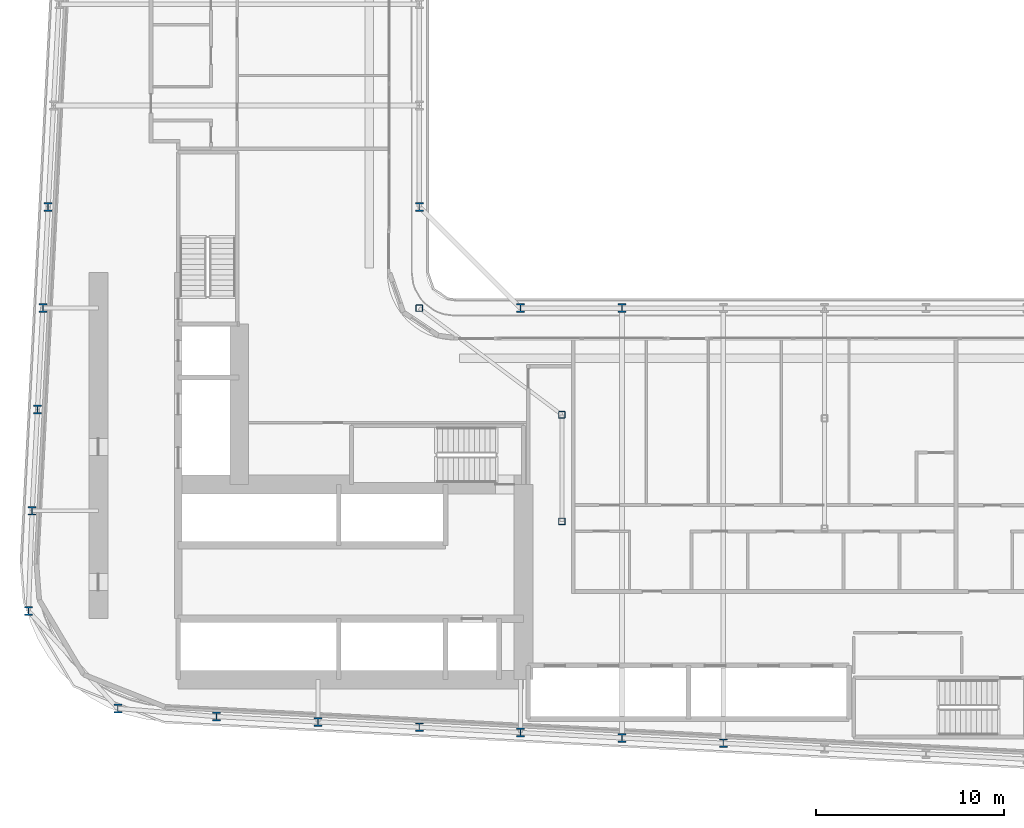
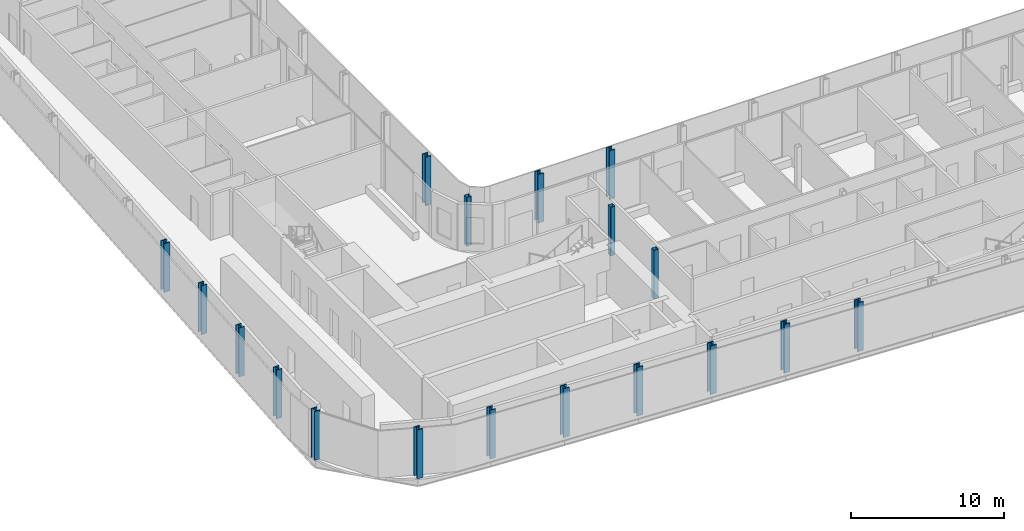
# One storey, part 1 of 27: 18 columns.
"""IFC4 building model written with IfcOpenShell, lengths in metres."""

from ifc_helpers import new_model, si_unit, direction, frame, origin, origin_2d, place, context, subcontext, project, spatial, hollow_rectangle, i_section, extrude, material, material_profile, profile_set, type_object, element, save


model = new_model("IFC4")

# Units and contexts
model_context = context("Model", 3, precision=1e-05, world=origin(), true_north=direction((0.0, 1.0)))
body_context = subcontext(model_context, "Body", "Model", "MODEL_VIEW")
ifc_project = project(units=[si_unit("LENGTHUNIT", "METRE"), si_unit("AREAUNIT", "SQUARE_METRE"), si_unit("VOLUMEUNIT", "CUBIC_METRE"), si_unit("PLANEANGLEUNIT", "RADIAN"), si_unit("MASSUNIT", "GRAM", prefix="KILO")], contexts=[model_context])

# Site, building, storey
site_placement = place(None, origin())
site = spatial("IfcSite", under=ifc_project, at=site_placement, CompositionType="ELEMENT")
building_placement = place(site_placement, origin())
building = spatial("IfcBuilding", under=site, at=building_placement, Name="Kheshtan School and Residences Tower", CompositionType="ELEMENT")
storey_placement = place(building_placement, frame((0.0, 0.0, 50.0)))
storey = spatial("IfcBuildingStorey", under=building, at=storey_placement, Name="L11", CompositionType="ELEMENT", Elevation=50.0)

# Columns
ifc_material_1 = material(Name="Steel ASTM A992 Grade 50", Category="steel")
ifc_material_profile_1 = material_profile(ifc_material_1, i_section(OverallWidth=0.424072265625, OverallDepth=0.47412109375, WebThickness=0.047607421875, FlangeThickness=0.0771484375, FilletRadius=0.01416015625, at=origin_2d()), Name="W360x634")
ifc_profile_set_1 = profile_set([ifc_material_profile_1], Name="Steel ASTM A992 Grade 50")
column_type_1 = type_object("IfcColumnType", Name="Column C1 W360x634 ASTM A992 Grade 50", PredefinedType="COLUMN", material=ifc_profile_set_1)
for number, where, z_axis, x_axis, name in (
    (1, (63.800048828125, 22.410888671875, 0.0), (0.0, 0.0, 1.0), (1.0, 0.0, 0.0), "Column C016"),
    (2, (58.39990234375, 22.695068359375, 0.0), (0.0, 0.0, 1.0), (1.0, 0.0, 0.0), "Column C018"),
    (3, (53.0, 22.97998046875, 0.0), (0.0, 0.0, 1.0), (1.0, 0.0, 0.0), "Column C019"),
    (4, (47.60009765625, 23.263916015625, 0.0), (0.0, 0.0, 1.0), (1.0, 0.0, 0.0), "Column C020"),
    (5, (42.199951171875, 23.548095703125, 0.0), (0.0, 0.0, 1.0), (1.0, 0.0, 0.0), "Column C021"),
    (6, (36.800048828125, 23.83203125, 0.0), (0.0, 0.0, 1.0), (1.0, 0.0, 0.0), "Column C022"),
    (7, (31.531982421875, 24.26611328125, 0.0), (0.0, 0.0, 1.0), (1.0, 0.0, 0.0), "Column C026"),
    (8, (26.76611328125, 29.458984375, 0.0), (0.0, 0.0, 1.0), (1.0, 0.0, 0.0), "Column C039"),
    (9, (26.968994140625, 34.800048828125, 0.0), (0.0, 0.0, 1.0), (1.0, 0.0, 0.0), "Column C052"),
    (10, (27.2529296875, 40.199951171875, 0.0), (0.0, 0.0, 1.0), (1.0, 0.0, 0.0), "Column C056"),
    (11, (27.537109375, 45.60009765625, 0.0), (0.0, 0.0, 1.0), (1.0, 0.0, 0.0), "Column C059"),
    (12, (53.0, 45.60009765625, 0.0), (0.0, 0.0, 1.0), (1.0, 0.0, 0.0), "Column C061"),
    (13, (58.39990234375, 45.60009765625, 0.0), (0.0, 0.0, 1.0), (1.0, 0.0, 0.0), "Column C062"),
    (14, (27.822021484375, 51.0, 0.0), (0.0, 0.0, 1.0), (1.0, 0.0, 0.0), "Column C078"),
    (15, (47.60009765625, 51.0, 0.0), (0.0, 0.0, 1.0), (1.0, 0.0, 0.0), "Column C079"),
):
    element("IfcColumn", number, at=place(storey_placement, frame(where, z_axis=z_axis, x_axis=x_axis)), inside=storey, type_object=column_type_1, Name=name, PredefinedType="COLUMN", context=body_context, shape_type="SweptSolid", body=[
        extrude(i_section(OverallWidth=0.424072265625, OverallDepth=0.47412109375, WebThickness=0.047607421875, FlangeThickness=0.0771484375, FilletRadius=0.01416015625, at=origin_2d()), origin(), (0.0, 0.0, 1.0), 3.89990234375),
    ])
ifc_material_2 = material(Name="Steel ASTM A500 Grade C", Category="steel")
ifc_material_profile_2 = material_profile(ifc_material_2, hollow_rectangle(XDim=0.35595703125, YDim=0.35595703125, WallThickness=0.015869140625, InnerFilletRadius=0.015869140625, OuterFilletRadius=0.03173828125, at=origin_2d()), Name="HSS 356x356x15.9")
ifc_profile_set_2 = profile_set([ifc_material_profile_2], Name="Steel ASTM A500 Grade C")
column_type_2 = type_object("IfcColumnType", Name="Column IC1 HSS 356x356x15.9 ASTM A500 Grade C", PredefinedType="COLUMN", material=ifc_profile_set_2)
for number, where, z_axis, x_axis, name in (
    (16, (55.199951171875, 34.23193359375, 0.0), (0.0, 0.0, 1.0), (1.0, 0.0, 0.0), "Column C051"),
    (17, (55.199951171875, 39.916015625, 0.0), (0.0, 0.0, 1.0), (1.0, 0.0, 0.0), "Column C055"),
    (18, (47.60009765625, 45.60009765625, 0.0), (0.0, 0.0, 1.0), (1.0, 0.0, 0.0), "Column C060"),
):
    element("IfcColumn", number, at=place(storey_placement, frame(where, z_axis=z_axis, x_axis=x_axis)), inside=storey, type_object=column_type_2, Name=name, PredefinedType="COLUMN", context=body_context, shape_type="SweptSolid", body=[
        extrude(hollow_rectangle(XDim=0.35595703125, YDim=0.35595703125, WallThickness=0.015869140625, InnerFilletRadius=0.015869140625, OuterFilletRadius=0.03173828125, at=origin_2d()), origin(), (0.0, 0.0, 1.0), 3.89990234375),
    ])

save(model, "model.ifc")
